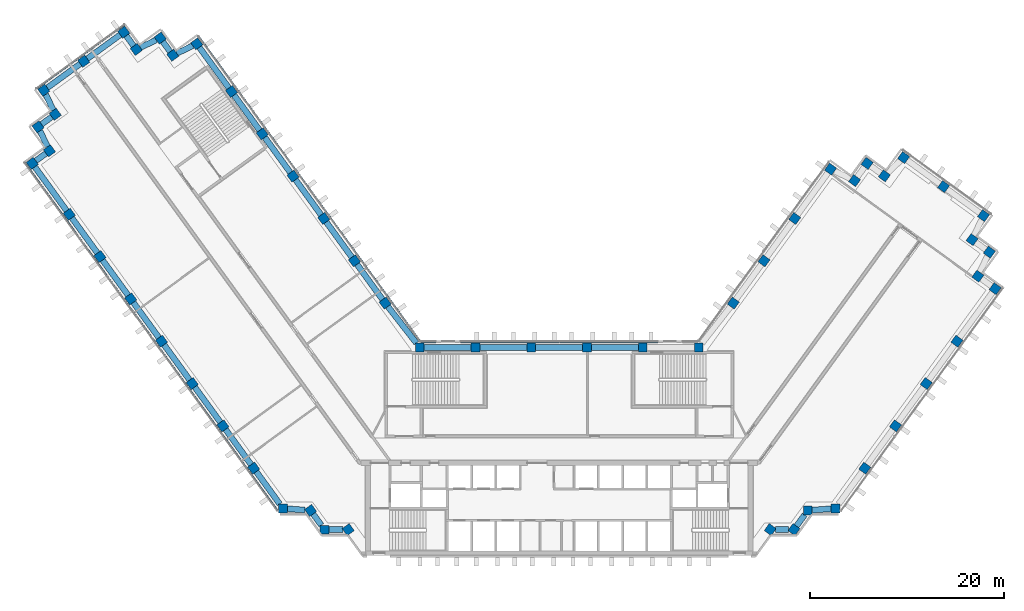
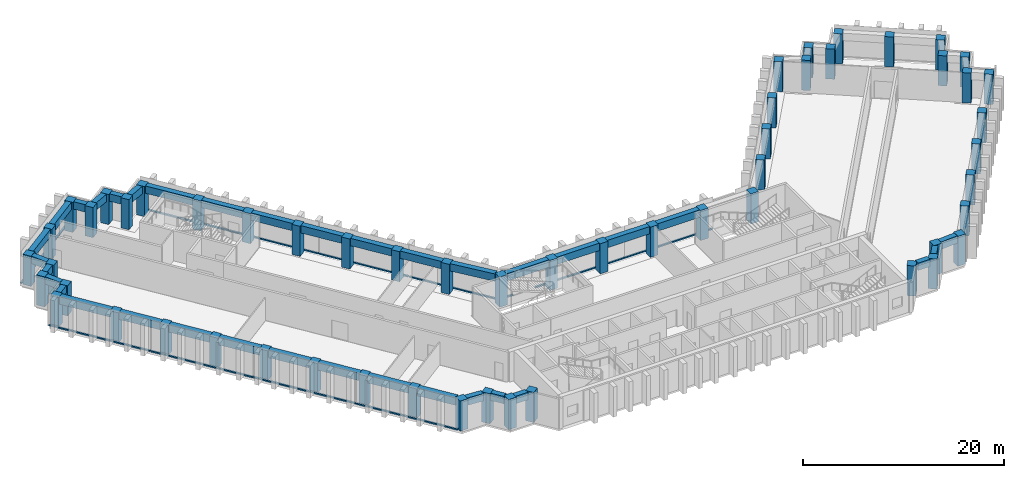
"""IFC4 building model written with IfcOpenShell, lengths in metres."""

from ifc_helpers import new_model, si_unit, direction, frame, origin, origin_2d, place, context, subcontext, project, spatial, rectangle, extrude, material, material_profile, profile_set, type_object, element, aggregate, save


model = new_model("IFC4")

# Units and contexts
model_context = context("Model", 3, precision=1e-05, world=origin(), true_north=direction((0.0, 1.0)))
body_context = subcontext(model_context, "Body", "Model", "MODEL_VIEW")
ifc_project = project(units=[si_unit("LENGTHUNIT", "METRE"), si_unit("AREAUNIT", "SQUARE_METRE"), si_unit("VOLUMEUNIT", "CUBIC_METRE"), si_unit("PLANEANGLEUNIT", "RADIAN"), si_unit("MASSUNIT", "GRAM", prefix="KILO")], contexts=[model_context])

# Site, building, storey
site_placement = place(None, origin())
site = spatial("IfcSite", under=ifc_project, at=site_placement, CompositionType="ELEMENT")
building_placement = place(site_placement, origin())
building = spatial("IfcBuilding", under=site, at=building_placement, Name="Quipu Civic Tower", CompositionType="ELEMENT")
storey_1_placement = place(building_placement, frame((0.0, 0.0, 85.0)))
storey_1 = spatial("IfcBuildingStorey", under=building, at=storey_1_placement, Name="L19", CompositionType="ELEMENT", Elevation=85.0)

# Columns
ifc_material_1 = material(Name="Concrete C60/75", Category="concrete")
ifc_material_profile_1 = material_profile(ifc_material_1, rectangle(XDim=0.89990234375, YDim=0.89990234375, at=origin_2d()), Name="RC900x900")
ifc_profile_set_1 = profile_set([ifc_material_profile_1], Name="Concrete C60/75")
column_type = type_object("IfcColumnType", Name="Perimeter column RC 900x900 C60/75", PredefinedType="COLUMN", material=ifc_profile_set_1)
for number, where, z_axis, x_axis, name in (
    (1, (-17.9736328125, 15.074951171875, 0.0), (0.0, 0.0, 1.0), (-0.587785252292, 0.809016994375, 0.0), "Column L19 W-IN-01"),
    (2, (-21.1474609375, 19.44384765625, 0.0), (0.0, 0.0, 1.0), (-0.587785252292, 0.809016994375, 0.0), "Column L19 W-IN-02"),
    (3, (-24.3212890625, 23.8125, 0.0), (0.0, 0.0, 1.0), (-0.587785252292, 0.809016994375, 0.0), "Column L19 W-IN-03"),
    (4, (-27.4951171875, 28.181396484375, 0.0), (0.0, 0.0, 1.0), (-0.587785252292, 0.809016994375, 0.0), "Column L19 W-IN-04"),
    (5, (-30.6689453125, 32.55029296875, 0.0), (0.0, 0.0, 1.0), (-0.587785252292, 0.809016994375, 0.0), "Column L19 W-IN-05"),
    (6, (-33.843017578125, 36.919189453125, 0.0), (0.0, 0.0, 1.0), (-0.587785252292, 0.809016994375, 0.0), "Column L19 W-IN-06"),
    (7, (-37.425048828125, 41.85009765625, 0.0), (0.0, 0.0, 1.0), (-0.587785252292, 0.809016994375, 0.0), "Column L19 T-Wi.0-W50"),
    (8, (-39.905517578125, 40.666015625, 0.0), (0.0, 0.0, 1.0), (-0.587785252292, 0.809016994375, 0.0), "Column L19 T-Wi.1-W50"),
    (9, (-41.199951171875, 42.445068359375, 0.0), (0.0, 0.0, 1.0), (-0.587785252292, 0.809016994375, 0.0), "Column L19 T-Wi.2-W50"),
    (10, (-43.674560546875, 41.264892578125, 0.0), (0.0, 0.0, 1.0), (-0.809016994375, -0.587785252292, 0.0), "Column L19 T-Wi.3-W50"),
    (11, (-44.969970703125, 43.044921875, 0.0), (0.0, 0.0, 1.0), (-0.809016994375, -0.587785252292, 0.0), "Column L19 T-Wi.4-W50"),
    (12, (-49.095703125, 40.046875, 0.0), (0.0, 0.0, 1.0), (-0.809016994375, -0.587785252292, 0.0), "Column L19 TIP-W-01-W50"),
    (13, (-53.219970703125, 37.050048828125, 0.0), (0.0, 0.0, 1.0), (0.587785252292, -0.809016994375, 0.0), "Column L19 T-Wo.0-W50"),
    (14, (-52.038818359375, 34.571044921875, 0.0), (0.0, 0.0, 1.0), (-0.809016994375, -0.587785252292, 0.0), "Column L19 T-Wo.1-W50"),
    (15, (-53.820068359375, 33.27490234375, 0.0), (0.0, 0.0, 1.0), (0.587785252292, -0.809016994375, 0.0), "Column L19 T-Wo.2-W50"),
    (16, (-52.635986328125, 30.799560546875, 0.0), (0.0, 0.0, 1.0), (-0.809016994375, -0.587785252292, 0.0), "Column L19 T-Wo.3-W50"),
    (17, (-54.4150390625, 29.5048828125, 0.0), (0.0, 0.0, 1.0), (0.587785252292, -0.809016994375, 0.0), "Column L19 T-Wo.4-W50"),
    (18, (-50.59228515625, 24.243408203125, 0.0), (0.0, 0.0, 1.0), (0.587785252292, -0.809016994375, 0.0), "Column L19 W-OUT-07"),
    (19, (-47.41845703125, 19.874755859375, 0.0), (0.0, 0.0, 1.0), (0.587785252292, -0.809016994375, 0.0), "Column L19 W-OUT-06"),
    (20, (-44.244384765625, 15.506103515625, 0.0), (0.0, 0.0, 1.0), (0.587785252292, -0.809016994375, 0.0), "Column L19 W-OUT-05"),
    (21, (-41.0703125, 11.137451171875, 0.0), (0.0, 0.0, 1.0), (0.587785252292, -0.809016994375, 0.0), "Column L19 W-OUT-04"),
    (22, (-37.896240234375, 6.768798828125, 0.0), (0.0, 0.0, 1.0), (0.587785252292, -0.809016994375, 0.0), "Column L19 W-OUT-03"),
    (23, (-34.722412109375, 2.39990234375, 0.0), (0.0, 0.0, 1.0), (0.587785252292, -0.809016994375, 0.0), "Column L19 W-OUT-02"),
    (24, (-31.54833984375, -1.96875, 0.0), (0.0, 0.0, 1.0), (0.587785252292, -0.809016994375, 0.0), "Column L19 W-OUT-01"),
    (25, (-28.52490234375, -6.1298828125, 0.0), (0.0, 0.0, 1.0), (1.0, 0.0, 0.0), "Column L19 J-Wo.0"),
    (26, (-25.67431640625, -6.3369140625, 0.0), (0.0, 0.0, 1.0), (0.587785252292, -0.809016994375, 0.0), "Column L19 J-Wo.1"),
    (27, (-24.235107421875, -8.31494140625, 0.0), (0.0, 0.0, 1.0), (1.0, 0.0, 0.0), "Column L19 J-Wo.2"),
    (28, (-21.791748046875, -8.31494140625, 0.0), (0.0, 0.0, 1.0), (0.587785252292, -0.809016994375, 0.0), "Column L19 J-Wo.3"),
    (29, (21.791748046875, -8.31494140625, 0.0), (0.0, 0.0, 1.0), (0.587785252292, 0.809016994375, 0.0), "Column L19 J-Eo.1"),
    (30, (24.235107421875, -8.31494140625, 0.0), (0.0, 0.0, 1.0), (0.587785252292, 0.809016994375, 0.0), "Column L19 J-Eo.2"),
    (31, (25.67431640625, -6.3369140625, 0.0), (0.0, 0.0, 1.0), (1.0, 0.0, 0.0), "Column L19 J-Eo.3"),
    (32, (28.52490234375, -6.1298828125, 0.0), (0.0, 0.0, 1.0), (1.0, 0.0, 0.0), "Column L19 J-Eo.4"),
    (33, (31.54833984375, -1.96875, 0.0), (0.0, 0.0, 1.0), (0.587785252292, 0.809016994375, 0.0), "Column L19 E-OUT-01"),
    (34, (34.722412109375, 2.39990234375, 0.0), (0.0, 0.0, 1.0), (0.587785252292, 0.809016994375, 0.0), "Column L19 E-OUT-02"),
    (35, (37.896240234375, 6.768798828125, 0.0), (0.0, 0.0, 1.0), (0.587785252292, 0.809016994375, 0.0), "Column L19 E-OUT-03"),
    (36, (41.0703125, 11.137451171875, 0.0), (0.0, 0.0, 1.0), (0.587785252292, 0.809016994375, 0.0), "Column L19 E-OUT-04"),
    (37, (45.010009765625, 16.56005859375, 0.0), (0.0, 0.0, 1.0), (0.587785252292, 0.809016994375, 0.0), "Column L19 T-Eo.0-E34"),
    (38, (43.23095703125, 17.8544921875, 0.0), (0.0, 0.0, 1.0), (0.587785252292, 0.809016994375, 0.0), "Column L19 T-Eo.1-E34"),
    (39, (44.4150390625, 20.3349609375, 0.0), (0.0, 0.0, 1.0), (0.587785252292, 0.809016994375, 0.0), "Column L19 T-Eo.2-E34"),
    (40, (42.635009765625, 21.626220703125, 0.0), (0.0, 0.0, 1.0), (-0.809016994375, 0.587785252292, 0.0), "Column L19 T-Eo.3-E34"),
    (41, (43.81494140625, 24.10498046875, 0.0), (0.0, 0.0, 1.0), (-0.809016994375, 0.587785252292, 0.0), "Column L19 T-Eo.4-E34"),
    (42, (39.690673828125, 27.10205078125, 0.0), (0.0, 0.0, 1.0), (-0.809016994375, 0.587785252292, 0.0), "Column L19 TIP-E-01-E34"),
    (43, (35.56494140625, 30.10009765625, 0.0), (0.0, 0.0, 1.0), (-0.587785252292, -0.809016994375, 0.0), "Column L19 T-Ei.0-E34"),
    (44, (33.573974609375, 28.20947265625, 0.0), (0.0, 0.0, 1.0), (-0.809016994375, 0.587785252292, 0.0), "Column L19 T-Ei.1-E34"),
    (45, (31.794921875, 29.5, 0.0), (0.0, 0.0, 1.0), (-0.587785252292, -0.809016994375, 0.0), "Column L19 T-Ei.2-E34"),
    (46, (30.498779296875, 27.72265625, 0.0), (0.0, 0.0, 1.0), (-0.809016994375, 0.587785252292, 0.0), "Column L19 T-Ei.3-E34"),
    (47, (28.02001953125, 28.905029296875, 0.0), (0.0, 0.0, 1.0), (-0.809016994375, 0.587785252292, 0.0), "Column L19 T-Ei.4-E34"),
    (48, (24.3212890625, 23.8125, 0.0), (0.0, 0.0, 1.0), (-0.587785252292, -0.809016994375, 0.0), "Column L19 E-IN-03"),
    (49, (21.1474609375, 19.44384765625, 0.0), (0.0, 0.0, 1.0), (-0.587785252292, -0.809016994375, 0.0), "Column L19 E-IN-02"),
    (50, (17.9736328125, 15.074951171875, 0.0), (0.0, 0.0, 1.0), (-0.587785252292, -0.809016994375, 0.0), "Column L19 E-IN-01"),
    (51, (14.395263671875, 10.5, 0.0), (0.0, 0.0, 1.0), (-1.0, 0.0, 0.0), "Column L19 J-Ei.0"),
    (52, (8.63720703125, 10.5, 0.0), (0.0, 0.0, 1.0), (-1.0, 0.0, 0.0), "Column L19 FRONT-01"),
    (53, (2.87890625, 10.5, 0.0), (0.0, 0.0, 1.0), (-1.0, 0.0, 0.0), "Column L19 FRONT-02"),
    (54, (-2.87890625, 10.5, 0.0), (0.0, 0.0, 1.0), (-1.0, 0.0, 0.0), "Column L19 FRONT-03"),
    (55, (-8.63720703125, 10.5, 0.0), (0.0, 0.0, 1.0), (-1.0, 0.0, 0.0), "Column L19 FRONT-04"),
    (56, (-14.395263671875, 10.5, 0.0), (0.0, 0.0, 1.0), (-1.0, 0.0, 0.0), "Column L19 J-Wi.0"),
):
    element("IfcColumn", number, at=place(storey_1_placement, frame(where, z_axis=z_axis, x_axis=x_axis)), inside=storey_1, type_object=column_type, Name=name, PredefinedType="COLUMN", context=body_context, shape_type="SweptSolid", body=[
        extrude(rectangle(XDim=0.89990234375, YDim=0.89990234375, at=origin_2d()), origin(), (0.0, 0.0, 1.0), 3.64990234375),
    ])

# Beams
ifc_material_2 = material(Name="Concrete C50/60", Category="concrete")
ifc_material_profile_2 = material_profile(ifc_material_2, rectangle(XDim=0.60009765625, YDim=0.89990234375, at=origin_2d()), Name="RC600x900")
ifc_profile_set_2 = profile_set([ifc_material_profile_2], Name="Concrete C50/60")
beam_type = type_object("IfcBeamType", Name="Spandrel beam RC 600x900 C50/60", PredefinedType="SPANDREL", material=ifc_profile_set_2)
for number, where, z_axis, x_axis, name in (
    (57, (-18.238037109375, 15.43896484375, 3.199951171875), (-0.587716763865, 0.809066749701, 0.0), (-0.809066749701, -0.587716763865, 0.0), "Spandrel beam L19 W-IN-01 to W-IN-02"),
    (58, (-21.411865234375, 19.807861328125, 3.199951171875), (-0.587778073121, 0.809022210299, 0.0), (-0.809022210299, -0.587778073121, 0.0), "Spandrel beam L19 W-IN-02 to W-IN-03"),
    (59, (-24.585693359375, 24.1767578125, 3.199951171875), (-0.587778073121, 0.809022210299, 0.0), (-0.809022210299, -0.587778073121, 0.0), "Spandrel beam L19 W-IN-03 to W-IN-04"),
    (60, (-27.759765625, 28.545654296875, 3.199951171875), (-0.587742561851, 0.809048009076, 0.0), (-0.809048009076, -0.587742561851, 0.0), "Spandrel beam L19 W-IN-04 to W-IN-05"),
    (61, (-30.93359375, 32.914306640625, 3.199951171875), (-0.587716763865, 0.809066749701, 0.0), (-0.809066749701, -0.587716763865, 0.0), "Spandrel beam L19 W-IN-05 to W-IN-06"),
):
    element("IfcBeam", number, at=place(storey_1_placement, frame(where, z_axis=z_axis, x_axis=x_axis)), inside=storey_1, type_object=beam_type, Name=name, PredefinedType="SPANDREL", context=body_context, shape_type="SweptSolid", body=[
        extrude(rectangle(XDim=0.60009765625, YDim=0.89990234375, at=origin_2d()), origin(), (0.0, 0.0, 1.0), 4.5),
    ])
beam_1_placement = place(storey_1_placement, frame((-34.107421875, 37.283203125, 3.199951171875), z_axis=(-0.587732861365, 0.80905505602, 0.0), x_axis=(-0.80905505602, -0.587732861365, 0.0)))
element("IfcBeam", 62, at=beam_1_placement, inside=storey_1, type_object=beam_type, Name="Spandrel beam L19 W-IN-06 to T-Wi.0-W50", PredefinedType="SPANDREL", context=body_context, shape_type="SweptSolid", body=[
    extrude(rectangle(XDim=0.60009765625, YDim=0.89990234375, at=origin_2d()), origin(), (0.0, 0.0, 1.0), 5.194580078125),
])
beam_2_placement = place(storey_1_placement, frame((-37.837890625, 41.65283203125, 3.199951171875), z_axis=(-0.90245397739, -0.430786279601, 0.0), x_axis=(0.430786279601, -0.90245397739, 0.0)))
element("IfcBeam", 63, at=beam_2_placement, inside=storey_1, type_object=beam_type, Name="Spandrel beam L19 T-Wi.0-W50 to T-Wi.1-W50", PredefinedType="SPANDREL", context=body_context, shape_type="SweptSolid", body=[
    extrude(rectangle(XDim=0.60009765625, YDim=0.89990234375, at=origin_2d()), origin(), (0.0, 0.0, 1.0), 1.83349609375),
])
beam_3_placement = place(storey_1_placement, frame((-40.170166015625, 41.02978515625, 3.199951171875), z_axis=(-0.588461937499, 0.808524921146, 0.0), x_axis=(-0.808524921146, -0.588461937499, 0.0)))
element("IfcBeam", 64, at=beam_3_placement, inside=storey_1, type_object=beam_type, Name="Spandrel beam L19 T-Wi.1-W50 to T-Wi.2-W50", PredefinedType="SPANDREL", context=body_context, shape_type="SweptSolid", body=[
    extrude(rectangle(XDim=0.60009765625, YDim=0.89990234375, at=origin_2d()), origin(), (0.0, 0.0, 1.0), 1.30029296875),
])
beam_4_placement = place(storey_1_placement, frame((-41.613037109375, 42.248046875, 3.199951171875), z_axis=(-0.902613270121, -0.430452418511, 0.0), x_axis=(0.430452418511, -0.902613270121, 0.0)))
element("IfcBeam", 65, at=beam_4_placement, inside=storey_1, type_object=beam_type, Name="Spandrel beam L19 T-Wi.2-W50 to T-Wi.3-W50", PredefinedType="SPANDREL", context=body_context, shape_type="SweptSolid", body=[
    extrude(rectangle(XDim=0.60009765625, YDim=0.89990234375, at=origin_2d()), origin(), (0.0, 0.0, 1.0), 1.826416015625),
])
beam_5_placement = place(storey_1_placement, frame((-43.939453125, 41.628662109375, 3.199951171875), z_axis=(-0.588383572423, 0.808581951136, 0.0), x_axis=(-0.808581951136, -0.588383572423, 0.0)))
element("IfcBeam", 66, at=beam_5_placement, inside=storey_1, type_object=beam_type, Name="Spandrel beam L19 T-Wi.3-W50 to T-Wi.4-W50", PredefinedType="SPANDREL", context=body_context, shape_type="SweptSolid", body=[
    extrude(rectangle(XDim=0.60009765625, YDim=0.89990234375, at=origin_2d()), origin(), (0.0, 0.0, 1.0), 1.3017578125),
])
beam_6_placement = place(storey_1_placement, frame((-45.333984375, 42.780517578125, 3.199951171875), z_axis=(-0.808969789945, -0.58785021813, 0.0), x_axis=(0.58785021813, -0.808969789945, 0.0)))
element("IfcBeam", 67, at=beam_6_placement, inside=storey_1, type_object=beam_type, Name="Spandrel beam L19 T-Wi.4-W50 to TIP-W-01-W50", PredefinedType="SPANDREL", context=body_context, shape_type="SweptSolid", body=[
    extrude(rectangle(XDim=0.60009765625, YDim=0.89990234375, at=origin_2d()), origin(), (0.0, 0.0, 1.0), 4.199951171875),
])
beam_7_placement = place(storey_1_placement, frame((-49.459716796875, 39.782470703125, 3.199951171875), z_axis=(-0.808959834407, -0.587863918196, 0.0), x_axis=(0.587863918196, -0.808959834407, 0.0)))
element("IfcBeam", 68, at=beam_7_placement, inside=storey_1, type_object=beam_type, Name="Spandrel beam L19 TIP-W-01-W50 to T-Wo.0-W50", PredefinedType="SPANDREL", context=body_context, shape_type="SweptSolid", body=[
    extrude(rectangle(XDim=0.60009765625, YDim=0.89990234375, at=origin_2d()), origin(), (0.0, 0.0, 1.0), 4.1982421875),
])
beam_8_placement = place(storey_1_placement, frame((-53.023193359375, 36.63671875, 3.199951171875), z_axis=(0.430166558323, -0.902749540072, 0.0), x_axis=(0.902749540072, 0.430166558323, 0.0)))
element("IfcBeam", 69, at=beam_8_placement, inside=storey_1, type_object=beam_type, Name="Spandrel beam L19 T-Wo.0-W50 to T-Wo.1-W50", PredefinedType="SPANDREL", context=body_context, shape_type="SweptSolid", body=[
    extrude(rectangle(XDim=0.60009765625, YDim=0.89990234375, at=origin_2d()), origin(), (0.0, 0.0, 1.0), 1.830322265625),
])
beam_9_placement = place(storey_1_placement, frame((-52.40283203125, 34.306396484375, 3.199951171875), z_axis=(-0.808509099783, -0.588483674853, 0.0), x_axis=(0.588483674853, -0.808509099783, 0.0)))
element("IfcBeam", 70, at=beam_9_placement, inside=storey_1, type_object=beam_type, Name="Spandrel beam L19 T-Wo.1-W50 to T-Wo.2-W50", PredefinedType="SPANDREL", context=body_context, shape_type="SweptSolid", body=[
    extrude(rectangle(XDim=0.60009765625, YDim=0.89990234375, at=origin_2d()), origin(), (0.0, 0.0, 1.0), 1.302734375),
])
beam_10_placement = place(storey_1_placement, frame((-53.62255859375, 32.8623046875, 3.199951171875), z_axis=(0.431446050156, -0.902138739776, 0.0), x_axis=(0.902138739776, 0.431446050156, 0.0)))
element("IfcBeam", 71, at=beam_10_placement, inside=storey_1, type_object=beam_type, Name="Spandrel beam L19 T-Wo.2-W50 to T-Wo.3-W50", PredefinedType="SPANDREL", context=body_context, shape_type="SweptSolid", body=[
    extrude(rectangle(XDim=0.60009765625, YDim=0.89990234375, at=origin_2d()), origin(), (0.0, 0.0, 1.0), 1.828857421875),
])
beam_11_placement = place(storey_1_placement, frame((-53.0, 30.53466796875, 3.199951171875), z_axis=(-0.808549242423, -0.588428519514, 0.0), x_axis=(0.588428519514, -0.808549242423, 0.0)))
element("IfcBeam", 72, at=beam_11_placement, inside=storey_1, type_object=beam_type, Name="Spandrel beam L19 T-Wo.3-W50 to T-Wo.4-W50", PredefinedType="SPANDREL", context=body_context, shape_type="SweptSolid", body=[
    extrude(rectangle(XDim=0.60009765625, YDim=0.89990234375, at=origin_2d()), origin(), (0.0, 0.0, 1.0), 1.2998046875),
])
beam_12_placement = place(storey_1_placement, frame((-54.150390625, 29.140869140625, 3.199951171875), z_axis=(0.587772657145, -0.809026145135, 0.0), x_axis=(0.809026145135, 0.587772657145, 0.0)))
element("IfcBeam", 73, at=beam_12_placement, inside=storey_1, type_object=beam_type, Name="Spandrel beam L19 T-Wo.4-W50 to W-OUT-07", PredefinedType="SPANDREL", context=body_context, shape_type="SweptSolid", body=[
    extrude(rectangle(XDim=0.60009765625, YDim=0.89990234375, at=origin_2d()), origin(), (0.0, 0.0, 1.0), 5.603271484375),
])
beam_13_placement = place(storey_1_placement, frame((-50.327880859375, 23.87939453125, 3.199951171875), z_axis=(0.587778073121, -0.809022210299, 0.0), x_axis=(0.809022210299, 0.587778073121, 0.0)))
element("IfcBeam", 74, at=beam_13_placement, inside=storey_1, type_object=beam_type, Name="Spandrel beam L19 W-OUT-07 to W-OUT-06", PredefinedType="SPANDREL", context=body_context, shape_type="SweptSolid", body=[
    extrude(rectangle(XDim=0.60009765625, YDim=0.89990234375, at=origin_2d()), origin(), (0.0, 0.0, 1.0), 4.5),
])
beam_14_placement = place(storey_1_placement, frame((-47.15380859375, 19.5107421875, 3.199951171875), z_axis=(0.587803872688, -0.809003465539, 0.0), x_axis=(0.809003465539, 0.587803872688, 0.0)))
element("IfcBeam", 75, at=beam_14_placement, inside=storey_1, type_object=beam_type, Name="Spandrel beam L19 W-OUT-06 to W-OUT-05", PredefinedType="SPANDREL", context=body_context, shape_type="SweptSolid", body=[
    extrude(rectangle(XDim=0.60009765625, YDim=0.89990234375, at=origin_2d()), origin(), (0.0, 0.0, 1.0), 4.499755859375),
])
for number, where, z_axis, x_axis, name in (
    (76, (-43.97998046875, 15.14208984375, 3.199951171875), (0.587778073121, -0.809022210299, 0.0), (0.809022210299, 0.587778073121, 0.0), "Spandrel beam L19 W-OUT-05 to W-OUT-04"),
    (77, (-40.805908203125, 10.7734375, 3.199951171875), (0.587778073121, -0.809022210299, 0.0), (0.809022210299, 0.587778073121, 0.0), "Spandrel beam L19 W-OUT-04 to W-OUT-03"),
):
    element("IfcBeam", number, at=place(storey_1_placement, frame(where, z_axis=z_axis, x_axis=x_axis)), inside=storey_1, type_object=beam_type, Name=name, PredefinedType="SPANDREL", context=body_context, shape_type="SweptSolid", body=[
        extrude(rectangle(XDim=0.60009765625, YDim=0.89990234375, at=origin_2d()), origin(), (0.0, 0.0, 1.0), 4.5),
    ])
beam_15_placement = place(storey_1_placement, frame((-37.6318359375, 6.404541015625, 3.199951171875), z_axis=(0.587803872688, -0.809003465539, 0.0), x_axis=(0.809003465539, 0.587803872688, 0.0)))
element("IfcBeam", 78, at=beam_15_placement, inside=storey_1, type_object=beam_type, Name="Spandrel beam L19 W-OUT-03 to W-OUT-02", PredefinedType="SPANDREL", context=body_context, shape_type="SweptSolid", body=[
    extrude(rectangle(XDim=0.60009765625, YDim=0.89990234375, at=origin_2d()), origin(), (0.0, 0.0, 1.0), 4.499755859375),
])
beam_16_placement = place(storey_1_placement, frame((-34.457763671875, 2.035888671875, 3.199951171875), z_axis=(0.587778073121, -0.809022210299, 0.0), x_axis=(0.809022210299, 0.587778073121, 0.0)))
element("IfcBeam", 79, at=beam_16_placement, inside=storey_1, type_object=beam_type, Name="Spandrel beam L19 W-OUT-02 to W-OUT-01", PredefinedType="SPANDREL", context=body_context, shape_type="SweptSolid", body=[
    extrude(rectangle(XDim=0.60009765625, YDim=0.89990234375, at=origin_2d()), origin(), (0.0, 0.0, 1.0), 4.5),
])
beam_17_placement = place(storey_1_placement, frame((-31.28369140625, -2.332763671875, 3.199951171875), z_axis=(0.587750565781, -0.809042194464, 0.0), x_axis=(0.809042194464, 0.587750565781, 0.0)))
element("IfcBeam", 80, at=beam_17_placement, inside=storey_1, type_object=beam_type, Name="Spandrel beam L19 W-OUT-01 to J-Wo.0", PredefinedType="SPANDREL", context=body_context, shape_type="SweptSolid", body=[
    extrude(rectangle(XDim=0.60009765625, YDim=0.89990234375, at=origin_2d()), origin(), (0.0, 0.0, 1.0), 4.13720703125),
])
beam_18_placement = place(storey_1_placement, frame((-28.074951171875, -6.16259765625, 3.199951171875), z_axis=(0.997367229877, -0.072516265536, 0.0), x_axis=(0.072516265536, 0.997367229877, 0.0)))
element("IfcBeam", 81, at=beam_18_placement, inside=storey_1, type_object=beam_type, Name="Spandrel beam L19 J-Wo.0 to J-Wo.1", PredefinedType="SPANDREL", context=body_context, shape_type="SweptSolid", body=[
    extrude(rectangle(XDim=0.60009765625, YDim=0.89990234375, at=origin_2d()), origin(), (0.0, 0.0, 1.0), 1.818115234375),
])
beam_19_placement = place(storey_1_placement, frame((-25.40966796875, -6.700927734375, 3.199951171875), z_axis=(0.588433824377, -0.808545381738, 0.0), x_axis=(0.808545381738, 0.588433824377, 0.0)))
element("IfcBeam", 82, at=beam_19_placement, inside=storey_1, type_object=beam_type, Name="Spandrel beam L19 J-Wo.1 to J-Wo.2", PredefinedType="SPANDREL", context=body_context, shape_type="SweptSolid", body=[
    extrude(rectangle(XDim=0.60009765625, YDim=0.89990234375, at=origin_2d()), origin(), (0.0, 0.0, 1.0), 1.439697265625),
])
beam_20_placement = place(storey_1_placement, frame((-23.784912109375, -8.31494140625, 3.199951171875), z_axis=(1.0, 0.0, 0.0), x_axis=(0.0, 1.0, 0.0)))
element("IfcBeam", 83, at=beam_20_placement, inside=storey_1, type_object=beam_type, Name="Spandrel beam L19 J-Wo.2 to J-Wo.3", PredefinedType="SPANDREL", context=body_context, shape_type="SweptSolid", body=[
    extrude(rectangle(XDim=0.60009765625, YDim=0.89990234375, at=origin_2d()), origin(), (0.0, 0.0, 1.0), 1.436767578125),
])
beam_21_placement = place(storey_1_placement, frame((22.34814453125, -8.31494140625, 3.199951171875), z_axis=(1.0, 0.0, 0.0), x_axis=(0.0, 1.0, 0.0)))
element("IfcBeam", 84, at=beam_21_placement, inside=storey_1, type_object=beam_type, Name="Spandrel beam L19 J-Eo.1 to J-Eo.2", PredefinedType="SPANDREL", context=body_context, shape_type="SweptSolid", body=[
    extrude(rectangle(XDim=0.60009765625, YDim=0.89990234375, at=origin_2d()), origin(), (0.0, 0.0, 1.0), 1.33056640625),
])
beam_22_placement = place(storey_1_placement, frame((24.499755859375, -7.951171875, 3.199951171875), z_axis=(0.588433824377, 0.808545381738, 0.0), x_axis=(-0.808545381738, 0.588433824377, 0.0)))
element("IfcBeam", 85, at=beam_22_placement, inside=storey_1, type_object=beam_type, Name="Spandrel beam L19 J-Eo.2 to J-Eo.3", PredefinedType="SPANDREL", context=body_context, shape_type="SweptSolid", body=[
    extrude(rectangle(XDim=0.60009765625, YDim=0.89990234375, at=origin_2d()), origin(), (0.0, 0.0, 1.0), 1.439697265625),
])
beam_23_placement = place(storey_1_placement, frame((26.12451171875, -6.304443359375, 3.199951171875), z_axis=(0.997365981169, 0.072533437859, 0.0), x_axis=(-0.072533437859, 0.997365981169, 0.0)))
element("IfcBeam", 86, at=beam_23_placement, inside=storey_1, type_object=beam_type, Name="Spandrel beam L19 J-Eo.3 to J-Eo.4", PredefinedType="SPANDREL", context=body_context, shape_type="SweptSolid", body=[
    extrude(rectangle(XDim=0.60009765625, YDim=0.89990234375, at=origin_2d()), origin(), (0.0, 0.0, 1.0), 1.95556640625),
])
for number, where, z_axis, x_axis, name in (
    (87, (8.18701171875, 10.5, 3.199951171875), (-1.0, 0.0, 0.0), (0.0, -1.0, 0.0), "Spandrel beam L19 FRONT-01 to FRONT-02"),
    (88, (2.428955078125, 10.5, 3.199951171875), (-1.0, 0.0, 0.0), (0.0, -1.0, 0.0), "Spandrel beam L19 FRONT-02 to FRONT-03"),
    (89, (-3.3291015625, 10.5, 3.199951171875), (-1.0, 0.0, 0.0), (0.0, -1.0, 0.0), "Spandrel beam L19 FRONT-03 to FRONT-04"),
):
    element("IfcBeam", number, at=place(storey_1_placement, frame(where, z_axis=z_axis, x_axis=x_axis)), inside=storey_1, type_object=beam_type, Name=name, PredefinedType="SPANDREL", context=body_context, shape_type="SweptSolid", body=[
        extrude(rectangle(XDim=0.60009765625, YDim=0.89990234375, at=origin_2d()), origin(), (0.0, 0.0, 1.0), 4.85791015625),
    ])
beam_24_placement = place(storey_1_placement, frame((-9.087158203125, 10.5, 3.199951171875), z_axis=(-1.0, 0.0, 0.0), x_axis=(0.0, -1.0, 0.0)))
element("IfcBeam", 90, at=beam_24_placement, inside=storey_1, type_object=beam_type, Name="Spandrel beam L19 FRONT-04 to J-Wi.0", PredefinedType="SPANDREL", context=body_context, shape_type="SweptSolid", body=[
    extrude(rectangle(XDim=0.60009765625, YDim=0.89990234375, at=origin_2d()), origin(), (0.0, 0.0, 1.0), 4.858154296875),
])
beam_25_placement = place(storey_1_placement, frame((-14.7470703125, 10.949951171875, 3.199951171875), z_axis=(-0.616123961998, 0.787649200756, 0.0), x_axis=(-0.787649200756, -0.616123961998, 0.0)))
element("IfcBeam", 91, at=beam_25_placement, inside=storey_1, type_object=beam_type, Name="Spandrel beam L19 J-Wi.0 to W-IN-01", PredefinedType="SPANDREL", context=body_context, shape_type="SweptSolid", body=[
    extrude(rectangle(XDim=0.60009765625, YDim=0.89990234375, at=origin_2d()), origin(), (0.0, 0.0, 1.0), 4.78662109375),
])

# Storey
storey_2_placement = place(building_placement, frame((0.0, 0.0, 89.0)))
storey_2 = spatial("IfcBuildingStorey", under=building, at=storey_2_placement, Name="L20", CompositionType="ELEMENT", Elevation=89.0)

# Curtain wall, members
ifc_material_3 = material(Name="Insulated glass unit", Category="glass")
curtain_wall_type = type_object("IfcCurtainWallType", Name="Office curtain wall CW1", PredefinedType="NOTDEFINED", material=ifc_material_3)
curtain_wall_1_placement = place(storey_2_placement, origin())
curtain_wall_1 = element("IfcCurtainWall", 92, at=curtain_wall_1_placement, inside=storey_2, type_object=curtain_wall_type, Name="Office curtain wall CW1 L19 run 14", PredefinedType="NOTDEFINED")
ifc_material_4 = material(Name="Anodised aluminium", Category="aluminium")
ifc_material_profile_3 = material_profile(ifc_material_4, rectangle(XDim=0.199951171875, YDim=0.159912109375, at=origin_2d()), Name="RECT 200x160")
ifc_profile_set_3 = profile_set([ifc_material_profile_3], Name="Anodised aluminium")
member_type = type_object("IfcMemberType", Name="Transom CW1", PredefinedType="USERDEFINED", material=ifc_profile_set_3)
member_1_placement = place(storey_1_placement, frame((10.18359375, 11.10009765625, 0.159912109375), z_axis=(-1.0, 0.0, 0.0), x_axis=(0.0, -1.0, 0.0)))
member_1 = element("IfcMember", 93, at=member_1_placement, inside=storey_1, type_object=member_type, Name="CW1 transom 1.1", ObjectType="TRANSOM", PredefinedType="USERDEFINED", context=body_context, shape_type="SweptSolid", body=[
    extrude(rectangle(XDim=0.199951171875, YDim=0.159912109375, at=origin_2d()), origin(), (0.0, 0.0, 1.0), 10.1435546875),
])
member_2_placement = place(storey_1_placement, frame((-0.0400390625, 11.10009765625, 0.159912109375), z_axis=(-1.0, 0.0, 0.0), x_axis=(0.0, -1.0, 0.0)))
member_2 = element("IfcMember", 94, at=member_2_placement, inside=storey_1, type_object=member_type, Name="CW1 transom 2.1", ObjectType="TRANSOM", PredefinedType="USERDEFINED", context=body_context, shape_type="SweptSolid", body=[
    extrude(rectangle(XDim=0.199951171875, YDim=0.159912109375, at=origin_2d()), origin(), (0.0, 0.0, 1.0), 10.1435546875),
])
aggregate(curtain_wall_1, [member_1, member_2])

# Curtain wall, member
curtain_wall_2_placement = place(storey_2_placement, origin())
curtain_wall_2 = element("IfcCurtainWall", 95, at=curtain_wall_2_placement, inside=storey_2, type_object=curtain_wall_type, Name="Office curtain wall CW1 L19 run 16", PredefinedType="NOTDEFINED")
member_3_placement = place(storey_1_placement, frame((-12.735107421875, 11.10009765625, 0.159912109375), z_axis=(-1.0, 0.0, 0.0), x_axis=(0.0, -1.0, 0.0)))
member_3 = element("IfcMember", 96, at=member_3_placement, inside=storey_1, type_object=member_type, Name="CW1 transom 1.1", ObjectType="TRANSOM", PredefinedType="USERDEFINED", context=body_context, shape_type="SweptSolid", body=[
    extrude(rectangle(XDim=0.199951171875, YDim=0.159912109375, at=origin_2d()), origin(), (0.0, 0.0, 1.0), 1.529052734375),
])
aggregate(curtain_wall_2, [member_3])

# Curtain wall, members
curtain_wall_3_placement = place(storey_2_placement, origin())
curtain_wall_3 = element("IfcCurtainWall", 97, at=curtain_wall_3_placement, inside=storey_2, type_object=curtain_wall_type, Name="Office curtain wall CW1 L19 run 17", PredefinedType="NOTDEFINED")
member_4_placement = place(storey_1_placement, frame((-14.39111328125, 11.164794921875, 0.159912109375), z_axis=(-0.58779220199, 0.809011945079, 0.0), x_axis=(-0.809011945079, -0.58779220199, 0.0)))
member_4 = element("IfcMember", 98, at=member_4_placement, inside=storey_1, type_object=member_type, Name="CW1 transom 1.1", ObjectType="TRANSOM", PredefinedType="USERDEFINED", context=body_context, shape_type="SweptSolid", body=[
    extrude(rectangle(XDim=0.199951171875, YDim=0.159912109375, at=origin_2d()), origin(), (0.0, 0.0, 1.0), 9.64111328125),
])
member_5_placement = place(storey_1_placement, frame((-20.105224609375, 19.029296875, 0.159912109375), z_axis=(-0.587793764301, 0.80901080997, 0.0), x_axis=(-0.80901080997, -0.587793764301, 0.0)))
member_5 = element("IfcMember", 99, at=member_5_placement, inside=storey_1, type_object=member_type, Name="CW1 transom 2.1", ObjectType="TRANSOM", PredefinedType="USERDEFINED", context=body_context, shape_type="SweptSolid", body=[
    extrude(rectangle(XDim=0.199951171875, YDim=0.159912109375, at=origin_2d()), origin(), (0.0, 0.0, 1.0), 9.680908203125),
])
member_6_placement = place(storey_1_placement, frame((-25.842529296875, 26.926025390625, 0.159912109375), z_axis=(-0.58778177227, 0.809019522748, 0.0), x_axis=(-0.809019522748, -0.58778177227, 0.0)))
member_6 = element("IfcMember", 100, at=member_6_placement, inside=storey_1, type_object=member_type, Name="CW1 transom 3.1", ObjectType="TRANSOM", PredefinedType="USERDEFINED", context=body_context, shape_type="SweptSolid", body=[
    extrude(rectangle(XDim=0.199951171875, YDim=0.159912109375, at=origin_2d()), origin(), (0.0, 0.0, 1.0), 9.68115234375),
])
member_7_placement = place(storey_1_placement, frame((-31.580078125, 34.822998046875, 0.159912109375), z_axis=(-0.587775627857, 0.809023986849, 0.0), x_axis=(-0.809023986849, -0.587775627857, 0.0)))
member_7 = element("IfcMember", 101, at=member_7_placement, inside=storey_1, type_object=member_type, Name="CW1 transom 4.1", ObjectType="TRANSOM", PredefinedType="USERDEFINED", context=body_context, shape_type="SweptSolid", body=[
    extrude(rectangle(XDim=0.199951171875, YDim=0.159912109375, at=origin_2d()), origin(), (0.0, 0.0, 1.0), 9.64111328125),
])
aggregate(curtain_wall_3, [member_4, member_5, member_6, member_7])

# Curtain wall, member
curtain_wall_4_placement = place(storey_2_placement, origin())
curtain_wall_4 = element("IfcCurtainWall", 102, at=curtain_wall_4_placement, inside=storey_2, type_object=curtain_wall_type, Name="Office curtain wall CW1 L19 run 22", PredefinedType="NOTDEFINED")
member_8_placement = place(storey_1_placement, frame((-44.9013671875, 43.8349609375, 0.159912109375), z_axis=(-0.809032792449, -0.587763507495, 0.0), x_axis=(0.587763507495, -0.809032792449, 0.0)))
member_8 = element("IfcMember", 103, at=member_8_placement, inside=storey_1, type_object=member_type, Name="CW1 transom 1.1", ObjectType="TRANSOM", PredefinedType="USERDEFINED", context=body_context, shape_type="SweptSolid", body=[
    extrude(rectangle(XDim=0.199951171875, YDim=0.159912109375, at=origin_2d()), origin(), (0.0, 0.0, 1.0), 11.239990234375),
])
aggregate(curtain_wall_4, [member_8])

# Curtain wall, members
curtain_wall_5_placement = place(storey_2_placement, origin())
curtain_wall_5 = element("IfcCurtainWall", 104, at=curtain_wall_5_placement, inside=storey_2, type_object=curtain_wall_type, Name="Office curtain wall CW1 L19 run 27", PredefinedType="NOTDEFINED")
member_9_placement = place(storey_1_placement, frame((-55.20703125, 29.573974609375, 0.159912109375), z_axis=(0.587779179422, -0.809021406539, 0.0), x_axis=(0.809021406539, 0.587779179422, 0.0)))
member_9 = element("IfcMember", 105, at=member_9_placement, inside=storey_1, type_object=member_type, Name="CW1 transom 1.1", ObjectType="TRANSOM", PredefinedType="USERDEFINED", context=body_context, shape_type="SweptSolid", body=[
    extrude(rectangle(XDim=0.199951171875, YDim=0.159912109375, at=origin_2d()), origin(), (0.0, 0.0, 1.0), 11.02294921875),
])
member_10_placement = place(storey_1_placement, frame((-48.68115234375, 20.591552734375, 0.159912109375), z_axis=(0.587795037589, -0.80900988485, 0.0), x_axis=(0.80900988485, 0.587795037589, 0.0)))
member_10 = element("IfcMember", 106, at=member_10_placement, inside=storey_1, type_object=member_type, Name="CW1 transom 2.1", ObjectType="TRANSOM", PredefinedType="USERDEFINED", context=body_context, shape_type="SweptSolid", body=[
    extrude(rectangle(XDim=0.199951171875, YDim=0.159912109375, at=origin_2d()), origin(), (0.0, 0.0, 1.0), 11.062744140625),
])
member_11_placement = place(storey_1_placement, frame((-42.131591796875, 11.576904296875, 0.159912109375), z_axis=(0.587795037589, -0.80900988485, 0.0), x_axis=(0.80900988485, 0.587795037589, 0.0)))
member_11 = element("IfcMember", 107, at=member_11_placement, inside=storey_1, type_object=member_type, Name="CW1 transom 3.1", ObjectType="TRANSOM", PredefinedType="USERDEFINED", context=body_context, shape_type="SweptSolid", body=[
    extrude(rectangle(XDim=0.199951171875, YDim=0.159912109375, at=origin_2d()), origin(), (0.0, 0.0, 1.0), 11.062744140625),
])
member_12_placement = place(storey_1_placement, frame((-35.58203125, 2.562255859375, 0.159912109375), z_axis=(0.587779179422, -0.809021406539, 0.0), x_axis=(0.809021406539, 0.587779179422, 0.0)))
member_12 = element("IfcMember", 108, at=member_12_placement, inside=storey_1, type_object=member_type, Name="CW1 transom 4.1", ObjectType="TRANSOM", PredefinedType="USERDEFINED", context=body_context, shape_type="SweptSolid", body=[
    extrude(rectangle(XDim=0.199951171875, YDim=0.159912109375, at=origin_2d()), origin(), (0.0, 0.0, 1.0), 11.02294921875),
])
aggregate(curtain_wall_5, [member_9, member_10, member_11, member_12])

save(model, "model.ifc")
